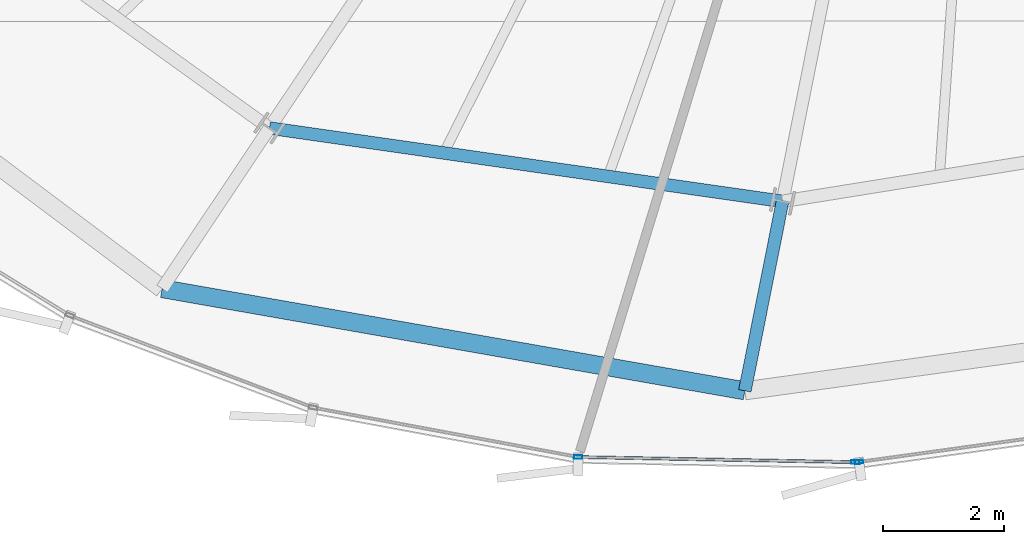
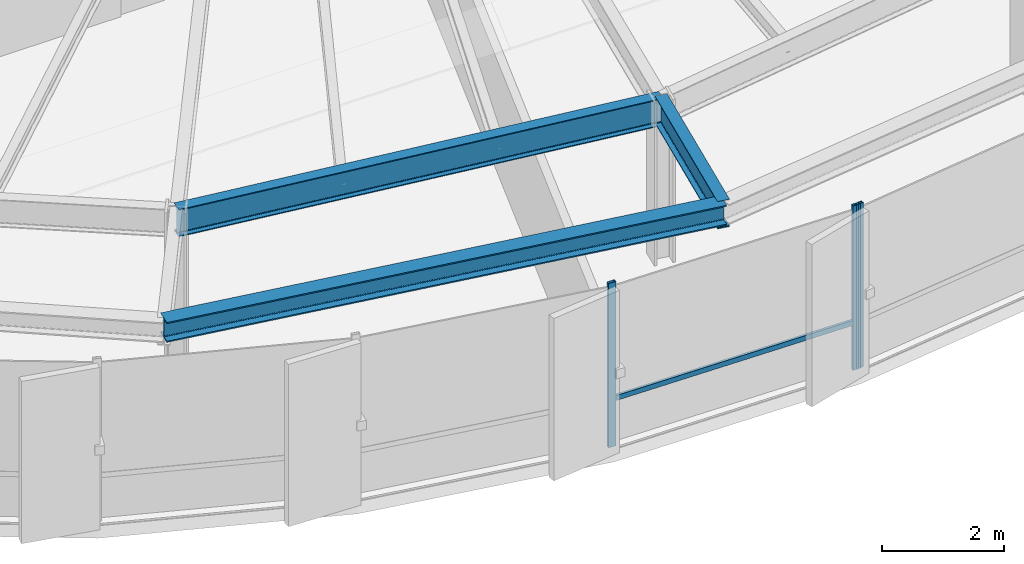
# One storey, part 5 of 36: 4 members, 3 beams, 2 elements without a shape of their own.
"""IFC4 building model written with IfcOpenShell, lengths in metres."""

from ifc_helpers import new_model, si_unit, direction, frame, origin, origin_2d, place, context, subcontext, project, spatial, hollow_rectangle, i_section, extrude, source, transform, mapped, material, layer, layer_set, material_profile, profile_set, type_object, element, aggregate, save


model = new_model("IFC4")

# Units and contexts
model_context = context("Model", 3, precision=1e-05, world=origin(), true_north=direction((0.0, 1.0)))
body_context = subcontext(model_context, "Body", "Model", "MODEL_VIEW")
ifc_project = project(units=[si_unit("LENGTHUNIT", "METRE"), si_unit("AREAUNIT", "SQUARE_METRE"), si_unit("VOLUMEUNIT", "CUBIC_METRE"), si_unit("PLANEANGLEUNIT", "RADIAN"), si_unit("MASSUNIT", "GRAM", prefix="KILO"), si_unit("THERMODYNAMICTEMPERATUREUNIT", "KELVIN")], contexts=[model_context])

# Site, building, storey
site_placement = place(None, origin())
site = spatial("IfcSite", under=ifc_project, at=site_placement, CompositionType="ELEMENT")
building_placement = place(site_placement, origin())
building = spatial("IfcBuilding", under=site, at=building_placement, Name="Kethvar Cultural Tower", CompositionType="ELEMENT")
storey_placement = place(building_placement, frame((0.0, 0.0, 150.10009765625)))
storey = spatial("IfcBuildingStorey", under=building, at=storey_placement, Name="L38", CompositionType="ELEMENT", Elevation=150.10009765625)

# Beams
ifc_material_1 = material(Name="Steel S355J2", Category="steel")
ifc_material_profile_1 = material_profile(ifc_material_1, i_section(OverallWidth=0.2099609375, OverallDepth=0.550048828125, WebThickness=0.010986328125, FlangeThickness=0.01708984375, FilletRadius=0.02392578125, at=origin_2d()), Name="Steel S355J2 — IPE550")
ifc_profile_set_1 = profile_set([ifc_material_profile_1], Name="Steel S355J2 — IPE550")
beam_type_1 = type_object("IfcBeamType", Name="BM-IPE550", PredefinedType="BEAM", material=ifc_profile_set_1)
shared_shape_1 = source(origin(), body_context, "Body", "SweptSolid", [
    extrude(i_section(OverallWidth=0.2099609375, OverallDepth=0.550048828125, WebThickness=0.010986328125, FlangeThickness=0.01708984375, FilletRadius=0.02392578125, at=origin_2d()), origin(), (0.0, 0.0, 1.0), 3.2001953125),
])
beam_1_placement = place(storey_placement, frame((42.852294921875, 7.95361328125, 3.02294921875), z_axis=(-0.195074368086, -0.980788453702, 0.0), x_axis=(0.980788453702, -0.195074368086, 0.0)))
element("IfcBeam", 1, at=beam_1_placement, inside=storey, type_object=beam_type_1, Name="L38 Perimeter Cantilever Beam RC-12", PredefinedType="BEAM", context=body_context, shape_type="MappedRepresentation", body=[
    mapped(shared_shape_1, transform((0.0, 0.0, 0.0), scale=1.0)),
])
shared_shape_2 = source(origin(), body_context, "Body", "SweptSolid", [
    extrude(i_section(OverallWidth=0.2099609375, OverallDepth=0.550048828125, WebThickness=0.010986328125, FlangeThickness=0.01708984375, FilletRadius=0.02392578125, at=origin_2d()), origin(), (0.0, 0.0, 1.0), 8.587890625),
])
beam_2_placement = place(storey_placement, frame((34.350830078125, 9.16845703125, 3.02294921875), z_axis=(0.989943807123, -0.141461156288, 0.0), x_axis=(0.141461156288, 0.989943807123, 0.0)))
element("IfcBeam", 2, at=beam_2_placement, inside=storey, type_object=beam_type_1, Name="L38 Column Ring Tie Beam CR-11", PredefinedType="BEAM", context=body_context, shape_type="MappedRepresentation", body=[
    mapped(shared_shape_2, transform((0.0, 0.0, 0.0), scale=1.0)),
])
ifc_material_profile_2 = material_profile(ifc_material_1, i_section(OverallWidth=0.300048828125, OverallDepth=0.39990234375, WebThickness=0.013427734375, FlangeThickness=0.02392578125, FilletRadius=0.027099609375, at=origin_2d()), Name="Steel S355J2 — HEB400")
ifc_profile_set_2 = profile_set([ifc_material_profile_2], Name="Steel S355J2 — HEB400")
beam_type_2 = type_object("IfcBeamType", Name="BM-SP400", PredefinedType="SPANDREL", material=ifc_profile_set_2)
shared_shape_3 = source(origin(), body_context, "Body", "SweptSolid", [
    extrude(i_section(OverallWidth=0.300048828125, OverallDepth=0.39990234375, WebThickness=0.013427734375, FlangeThickness=0.02392578125, FilletRadius=0.027099609375, at=origin_2d()), origin(), (0.0, 0.0, 1.0), 9.80224609375),
])
beam_3_placement = place(storey_placement, frame((32.572998046875, 6.5078125, 3.097900390625), z_axis=(0.984974273513, -0.172701130618, 0.0), x_axis=(0.172701130618, 0.984974273513, 0.0)))
element("IfcBeam", 3, at=beam_3_placement, inside=storey, type_object=beam_type_2, Name="L38 Perimeter Spandrel Beam SP-11", PredefinedType="SPANDREL", context=body_context, shape_type="MappedRepresentation", body=[
    mapped(shared_shape_3, transform((0.0, 0.0, 0.0), scale=1.0)),
])

# Curtain wall, members
ifc_material_2 = material(Name="Aluminium 6063-T6", Category="aluminium")
ifc_layer = layer(ifc_material_2, 0.179931640625, Name="Aluminium 6063-T6", Category="aluminium")
ifc_layer_set = layer_set([ifc_layer], Name="Aluminium 6063-T6 (180 mm)")
curtain_wall_type = type_object("IfcCurtainWallType", Name="CW-SYS-04-Z34", PredefinedType="NOTDEFINED", material=ifc_layer_set)
curtain_wall_1_placement = place(storey_placement, origin())
curtain_wall_1 = element("IfcCurtainWall", 4, at=curtain_wall_1_placement, inside=storey, type_object=curtain_wall_type, Name="L38 Curtain Wall Run 04", PredefinedType="NOTDEFINED")
ifc_material_profile_3 = material_profile(ifc_material_2, hollow_rectangle(XDim=0.06005859375, YDim=0.139892578125, WallThickness=0.0048828125, at=origin_2d()), Name="Aluminium 6063-T6 — RHS140x60x5")
ifc_profile_set_3 = profile_set([ifc_material_profile_3], Name="Aluminium 6063-T6 — RHS140x60x5")
member_type_1 = type_object("IfcMemberType", Name="CW-SYS-04-Z34-MUL", PredefinedType="MULLION", material=ifc_profile_set_3)
shared_shape_4 = source(origin(), body_context, "Body", "SweptSolid", [
    extrude(hollow_rectangle(XDim=0.06005859375, YDim=0.139892578125, WallThickness=0.0048828125, at=origin_2d()), origin(), (0.0, 0.0, 1.0), 3.2998046875),
])
member_1_placement = place(storey_placement, frame((39.466796875, 3.717529296875, 0.0), z_axis=(0.0, 0.0, 1.0), x_axis=(0.018447083792, 0.999829838072, 0.0)))
member_1 = element("IfcMember", 5, at=member_1_placement, type_object=member_type_1, Name="CW-L38-R04 Mullion 6", PredefinedType="MULLION", context=body_context, shape_type="MappedRepresentation", body=[
    mapped(shared_shape_4, transform((0.0, 0.0, 0.0), scale=1.0)),
])
member_2_placement = place(storey_placement, frame((44.05859375, 3.6328125, 0.0), z_axis=(0.0, 0.0, 1.0), x_axis=(0.018447083792, 0.999829838072, 0.0)))
member_2 = element("IfcMember", 6, at=member_2_placement, type_object=member_type_1, Name="CW-L38-R04 Mullion 7", PredefinedType="MULLION", context=body_context, shape_type="MappedRepresentation", body=[
    mapped(shared_shape_4, transform((0.0, 0.0, 0.0), scale=1.0)),
])

# Curtain wall, member
curtain_wall_2_placement = place(storey_placement, origin())
curtain_wall_2 = element("IfcCurtainWall", 7, at=curtain_wall_2_placement, inside=storey, type_object=curtain_wall_type, Name="L38 Curtain Wall Run 05", PredefinedType="NOTDEFINED")
member_3_placement = place(storey_placement, frame((44.119140625, 3.636474609375, 0.0), z_axis=(0.0, 0.0, 1.0), x_axis=(-0.137098784642, 0.990557380089, 0.0)))
member_3 = element("IfcMember", 8, at=member_3_placement, type_object=member_type_1, Name="CW-L38-R05 Mullion 1", PredefinedType="MULLION", context=body_context, shape_type="MappedRepresentation", body=[
    mapped(shared_shape_4, transform((0.0, 0.0, 0.0), scale=1.0)),
])
aggregate(curtain_wall_2, [member_3])

# Member
ifc_material_profile_4 = material_profile(ifc_material_2, hollow_rectangle(XDim=0.050048828125, YDim=0.10009765625, WallThickness=0.00390625, at=origin_2d()), Name="Aluminium 6063-T6 — RHS100x50x4")
ifc_profile_set_4 = profile_set([ifc_material_profile_4], Name="Aluminium 6063-T6 — RHS100x50x4")
member_type_2 = type_object("IfcMemberType", Name="CW-SYS-04-Z34-TRN", PredefinedType="USERDEFINED", material=ifc_profile_set_4)
shared_shape_5 = source(origin(), body_context, "Body", "SweptSolid", [
    extrude(hollow_rectangle(XDim=0.050048828125, YDim=0.10009765625, WallThickness=0.00390625, at=origin_2d()), origin(), (0.0, 0.0, 1.0), 4.545166015625),
])
member_4_placement = place(storey_placement, frame((39.510009765625, 3.716796875, 0.949951171875), z_axis=(0.999829275346, -0.018477558328, 0.0), x_axis=(0.018477558328, 0.999829275346, 0.0)))
member_4 = element("IfcMember", 9, at=member_4_placement, type_object=member_type_2, Name="CW-L38-R04 Transom 6", ObjectType="TRANSOM", PredefinedType="USERDEFINED", context=body_context, shape_type="MappedRepresentation", body=[
    mapped(shared_shape_5, transform((0.0, 0.0, 0.0), scale=1.0)),
])

aggregate(curtain_wall_1, [member_1, member_2, member_4])

save(model, "model.ifc")
